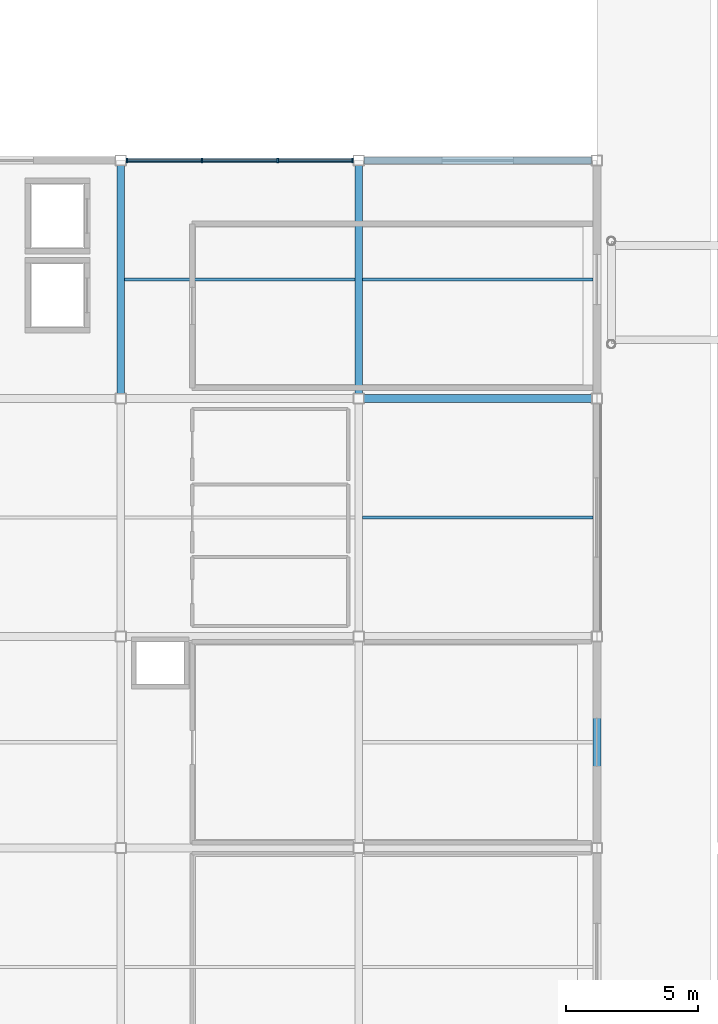
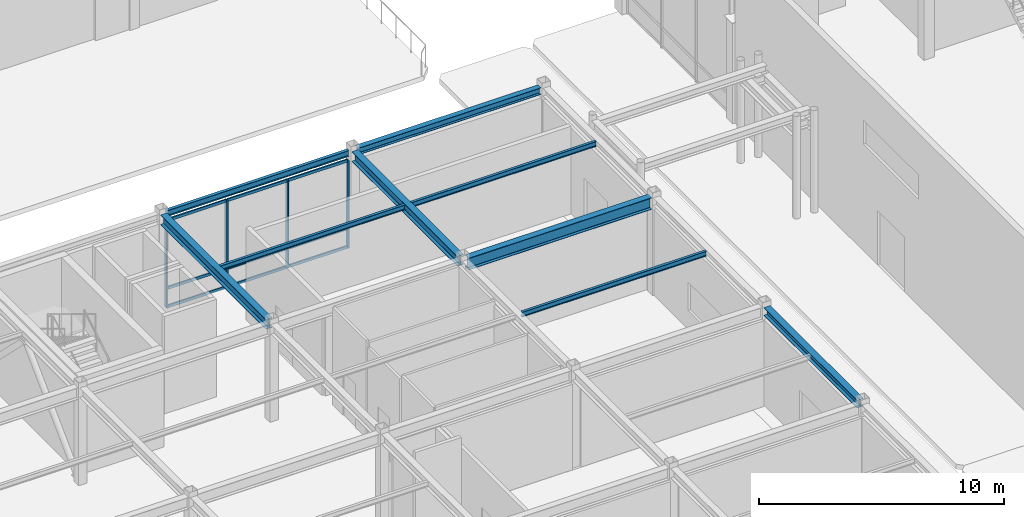
# One storey, part 33 of 123: 13 members, 9 beams, 1 element without a shape of its own.
"""IFC4 building model written with IfcOpenShell, lengths in metres."""

from ifc_helpers import new_model, si_unit, direction, frame, origin, origin_2d, place, context, subcontext, project, spatial, rectangle, i_section, extrude, material, material_profile, profile_set, type_object, element, aggregate, save


model = new_model("IFC4")

# Units and contexts
model_context = context("Model", 3, precision=1e-05, world=origin(), true_north=direction((0.0, 1.0)))
body_context = subcontext(model_context, "Body", "Model", "MODEL_VIEW")
ifc_project = project(units=[si_unit("LENGTHUNIT", "METRE"), si_unit("AREAUNIT", "SQUARE_METRE"), si_unit("VOLUMEUNIT", "CUBIC_METRE"), si_unit("PLANEANGLEUNIT", "RADIAN"), si_unit("MASSUNIT", "GRAM", prefix="KILO")], contexts=[model_context])

# Site, building, storey
site_placement = place(None, origin())
site = spatial("IfcSite", under=ifc_project, at=site_placement, CompositionType="ELEMENT")
building_placement = place(site_placement, origin())
building = spatial("IfcBuilding", under=site, at=building_placement, Name="Suzunagisa Mobility Hub", CompositionType="ELEMENT")
storey_placement = place(building_placement, origin())
storey = spatial("IfcBuildingStorey", under=building, at=storey_placement, Name="L00", CompositionType="ELEMENT", Elevation=0.0)

# Curtain wall, members
ifc_material_1 = material(Name="Thermally Broken Anodized Aluminum and Low-E Glazing", Category="aluminium")
curtain_wall_type = type_object("IfcCurtainWallType", Name="Unitised Curtain Wall CW-47 8500x4400", PredefinedType="USERDEFINED", material=ifc_material_1)
curtain_wall_placement = place(storey_placement, origin())
curtain_wall = element("IfcCurtainWall", 1, at=curtain_wall_placement, inside=storey, type_object=curtain_wall_type, Name="L00 Unitised Curtain Wall CW-5", ObjectType="UNITISED CURTAIN WALL", PredefinedType="USERDEFINED")
ifc_material_2 = material(Name="Anodized Aluminum 6063-T6", Category="aluminium")
ifc_material_profile_1 = material_profile(ifc_material_2, rectangle(XDim=0.06494140625, YDim=0.139892578125, at=origin_2d()), Name="TRAN-65x140")
ifc_profile_set_1 = profile_set([ifc_material_profile_1], Name="Anodized Aluminum 6063-T6")
member_type_1 = type_object("IfcMemberType", Name="Curtain Wall Framing CM-01 TRAN-65x140", PredefinedType="USERDEFINED", material=ifc_profile_set_1)
member_1_placement = place(storey_placement, frame((26.737060546875, 62.0, 0.032470703125), z_axis=(-1.0, 0.0, 0.0), x_axis=(0.0, -1.0, 0.0)))
member_1 = element("IfcMember", 2, at=member_1_placement, type_object=member_type_1, Name="Curtain Wall Transom 5-T1.1", ObjectType="TRANSOM", PredefinedType="USERDEFINED", context=body_context, shape_type="SweptSolid", body=[
    extrude(rectangle(XDim=0.06494140625, YDim=0.139892578125, at=origin_2d()), origin(), (0.0, 0.0, 1.0), 2.773193359375),
])
member_2_placement = place(storey_placement, frame((26.737060546875, 62.0, 0.949951171875), z_axis=(-1.0, 0.0, 0.0), x_axis=(0.0, -1.0, 0.0)))
member_2 = element("IfcMember", 3, at=member_2_placement, type_object=member_type_1, Name="Curtain Wall Transom 5-T1.2", ObjectType="TRANSOM", PredefinedType="USERDEFINED", context=body_context, shape_type="SweptSolid", body=[
    extrude(rectangle(XDim=0.06494140625, YDim=0.139892578125, at=origin_2d()), origin(), (0.0, 0.0, 1.0), 2.773193359375),
])
member_3_placement = place(storey_placement, frame((26.737060546875, 62.0, 4.32958984375), z_axis=(-1.0, 0.0, 0.0), x_axis=(0.0, -1.0, 0.0)))
member_3 = element("IfcMember", 4, at=member_3_placement, type_object=member_type_1, Name="Curtain Wall Transom 5-T1.3", ObjectType="TRANSOM", PredefinedType="USERDEFINED", context=body_context, shape_type="SweptSolid", body=[
    extrude(rectangle(XDim=0.06494140625, YDim=0.139892578125, at=origin_2d()), origin(), (0.0, 0.0, 1.0), 2.773193359375),
])
member_4_placement = place(storey_placement, frame((23.90283203125, 62.0, 0.032470703125), z_axis=(-1.0, 0.0, 0.0), x_axis=(0.0, -1.0, 0.0)))
member_4 = element("IfcMember", 5, at=member_4_placement, type_object=member_type_1, Name="Curtain Wall Transom 5-T2.1", ObjectType="TRANSOM", PredefinedType="USERDEFINED", context=body_context, shape_type="SweptSolid", body=[
    extrude(rectangle(XDim=0.06494140625, YDim=0.139892578125, at=origin_2d()), origin(), (0.0, 0.0, 1.0), 2.8056640625),
])
member_5_placement = place(storey_placement, frame((23.90283203125, 62.0, 0.949951171875), z_axis=(-1.0, 0.0, 0.0), x_axis=(0.0, -1.0, 0.0)))
member_5 = element("IfcMember", 6, at=member_5_placement, type_object=member_type_1, Name="Curtain Wall Transom 5-T2.2", ObjectType="TRANSOM", PredefinedType="USERDEFINED", context=body_context, shape_type="SweptSolid", body=[
    extrude(rectangle(XDim=0.06494140625, YDim=0.139892578125, at=origin_2d()), origin(), (0.0, 0.0, 1.0), 2.8056640625),
])
member_6_placement = place(storey_placement, frame((23.90283203125, 62.0, 4.32958984375), z_axis=(-1.0, 0.0, 0.0), x_axis=(0.0, -1.0, 0.0)))
member_6 = element("IfcMember", 7, at=member_6_placement, type_object=member_type_1, Name="Curtain Wall Transom 5-T2.3", ObjectType="TRANSOM", PredefinedType="USERDEFINED", context=body_context, shape_type="SweptSolid", body=[
    extrude(rectangle(XDim=0.06494140625, YDim=0.139892578125, at=origin_2d()), origin(), (0.0, 0.0, 1.0), 2.8056640625),
])
member_7_placement = place(storey_placement, frame((21.0361328125, 62.0, 0.032470703125), z_axis=(-1.0, 0.0, 0.0), x_axis=(0.0, -1.0, 0.0)))
member_7 = element("IfcMember", 8, at=member_7_placement, type_object=member_type_1, Name="Curtain Wall Transom 5-T3.1", ObjectType="TRANSOM", PredefinedType="USERDEFINED", context=body_context, shape_type="SweptSolid", body=[
    extrude(rectangle(XDim=0.06494140625, YDim=0.139892578125, at=origin_2d()), origin(), (0.0, 0.0, 1.0), 2.773193359375),
])
member_8_placement = place(storey_placement, frame((21.0361328125, 62.0, 0.949951171875), z_axis=(-1.0, 0.0, 0.0), x_axis=(0.0, -1.0, 0.0)))
member_8 = element("IfcMember", 9, at=member_8_placement, type_object=member_type_1, Name="Curtain Wall Transom 5-T3.2", ObjectType="TRANSOM", PredefinedType="USERDEFINED", context=body_context, shape_type="SweptSolid", body=[
    extrude(rectangle(XDim=0.06494140625, YDim=0.139892578125, at=origin_2d()), origin(), (0.0, 0.0, 1.0), 2.773193359375),
])
member_9_placement = place(storey_placement, frame((21.0361328125, 62.0, 4.32958984375), z_axis=(-1.0, 0.0, 0.0), x_axis=(0.0, -1.0, 0.0)))
member_9 = element("IfcMember", 10, at=member_9_placement, type_object=member_type_1, Name="Curtain Wall Transom 5-T3.3", ObjectType="TRANSOM", PredefinedType="USERDEFINED", context=body_context, shape_type="SweptSolid", body=[
    extrude(rectangle(XDim=0.06494140625, YDim=0.139892578125, at=origin_2d()), origin(), (0.0, 0.0, 1.0), 2.773193359375),
])
ifc_material_profile_2 = material_profile(ifc_material_2, rectangle(XDim=0.06494140625, YDim=0.179931640625, at=origin_2d()), Name="MULL-65x180")
ifc_profile_set_2 = profile_set([ifc_material_profile_2], Name="Anodized Aluminum 6063-T6")
member_type_2 = type_object("IfcMemberType", Name="Curtain Wall Framing CM-04 MULL-65x180", PredefinedType="MULLION", material=ifc_profile_set_2)
member_10_placement = place(storey_placement, frame((26.767578125, 62.0, 0.0), z_axis=(0.0, 0.0, 1.0), x_axis=(-1.0, 0.0, 0.0)))
member_10 = element("IfcMember", 11, at=member_10_placement, type_object=member_type_2, Name="Curtain Wall Mullion 5-M1", PredefinedType="MULLION", context=body_context, shape_type="SweptSolid", body=[
    extrude(rectangle(XDim=0.06494140625, YDim=0.179931640625, at=origin_2d()), origin(), (0.0, 0.0, 1.0), 4.362060546875),
])
member_11_placement = place(storey_placement, frame((23.933349609375, 62.0, 0.0), z_axis=(0.0, 0.0, 1.0), x_axis=(-1.0, 0.0, 0.0)))
member_11 = element("IfcMember", 12, at=member_11_placement, type_object=member_type_2, Name="Curtain Wall Mullion 5-M2", PredefinedType="MULLION", context=body_context, shape_type="SweptSolid", body=[
    extrude(rectangle(XDim=0.06494140625, YDim=0.179931640625, at=origin_2d()), origin(), (0.0, 0.0, 1.0), 4.362060546875),
])
member_12_placement = place(storey_placement, frame((21.066650390625, 62.0, 0.0), z_axis=(0.0, 0.0, 1.0), x_axis=(-1.0, 0.0, 0.0)))
member_12 = element("IfcMember", 13, at=member_12_placement, type_object=member_type_2, Name="Curtain Wall Mullion 5-M3", PredefinedType="MULLION", context=body_context, shape_type="SweptSolid", body=[
    extrude(rectangle(XDim=0.06494140625, YDim=0.179931640625, at=origin_2d()), origin(), (0.0, 0.0, 1.0), 4.362060546875),
])
member_13_placement = place(storey_placement, frame((18.232421875, 62.0, 0.0), z_axis=(0.0, 0.0, 1.0), x_axis=(-1.0, 0.0, 0.0)))
member_13 = element("IfcMember", 14, at=member_13_placement, type_object=member_type_2, Name="Curtain Wall Mullion 5-M4", PredefinedType="MULLION", context=body_context, shape_type="SweptSolid", body=[
    extrude(rectangle(XDim=0.06494140625, YDim=0.179931640625, at=origin_2d()), origin(), (0.0, 0.0, 1.0), 4.362060546875),
])
aggregate(curtain_wall, [member_10, member_11, member_12, member_13, member_1, member_2, member_3, member_4, member_5, member_6, member_7, member_8, member_9])

# Beams
ifc_material_3 = material(Name="Steel SN490B", Category="steel")
ifc_material_profile_3 = material_profile(ifc_material_3, i_section(OverallWidth=0.300048828125, OverallDepth=0.488037109375, WebThickness=0.010986328125, FlangeThickness=0.01806640625, FilletRadius=0.012939453125, at=origin_2d()), Name="H-488x300x11x18")
ifc_profile_set_3 = profile_set([ifc_material_profile_3], Name="Steel SN490B")
beam_type_1 = type_object("IfcBeamType", Name="Steel Beam BM-06 H-488x300x11x18", PredefinedType="BEAM", material=ifc_profile_set_3)
for number, where, z_axis, x_axis, name in (
    (15, (18.0, 53.196044921875, 4.60595703125), (0.0, 1.0, 0.0), (-1.0, 0.0, 0.0), "L00 Primary Girder GY-141"),
    (16, (27.0, 53.196044921875, 4.60595703125), (0.0, 1.0, 0.0), (-1.0, 0.0, 0.0), "L00 Primary Girder GY-148"),
):
    element("IfcBeam", number, at=place(storey_placement, frame(where, z_axis=z_axis, x_axis=x_axis)), inside=storey, type_object=beam_type_1, Name=name, PredefinedType="BEAM", context=body_context, shape_type="SweptSolid", body=[
        extrude(i_section(OverallWidth=0.300048828125, OverallDepth=0.488037109375, WebThickness=0.010986328125, FlangeThickness=0.01806640625, FilletRadius=0.012939453125, at=origin_2d()), origin(), (0.0, 0.0, 1.0), 8.60791015625),
    ])
ifc_material_4 = material(Name="Steel SN400B", Category="steel")
ifc_material_profile_4 = material_profile(ifc_material_4, i_section(OverallWidth=0.14990234375, OverallDepth=0.300048828125, WebThickness=0.006591796875, FlangeThickness=0.009033203125, FilletRadius=0.008056640625, at=origin_2d()), Name="H-300x150x6.5x9")
ifc_profile_set_4 = profile_set([ifc_material_profile_4], Name="Steel SN400B")
beam_type_2 = type_object("IfcBeamType", Name="Steel Beam BM-08 H-300x150x6.5x9", PredefinedType="LINTEL", material=ifc_profile_set_4)
beam_1_placement = place(storey_placement, frame((18.196044921875, 62.0, 4.699951171875), z_axis=(1.0, 0.0, 0.0), x_axis=(0.0, 1.0, 0.0)))
element("IfcBeam", 17, at=beam_1_placement, inside=storey, type_object=beam_type_2, Name="L00 Primary Girder GX-120", PredefinedType="LINTEL", context=body_context, shape_type="SweptSolid", body=[
    extrude(i_section(OverallWidth=0.14990234375, OverallDepth=0.300048828125, WebThickness=0.006591796875, FlangeThickness=0.009033203125, FilletRadius=0.008056640625, at=origin_2d()), origin(), (0.0, 0.0, 1.0), 8.60791015625),
])
ifc_material_profile_5 = material_profile(ifc_material_3, i_section(OverallWidth=0.300048828125, OverallDepth=0.389892578125, WebThickness=0.010009765625, FlangeThickness=0.01611328125, FilletRadius=0.012939453125, at=origin_2d()), Name="H-390x300x10x16")
ifc_profile_set_5 = profile_set([ifc_material_profile_5], Name="Steel SN490B")
beam_type_3 = type_object("IfcBeamType", Name="Steel Beam BM-13 H-390x300x10x16", PredefinedType="SPANDREL", material=ifc_profile_set_5)
beam_2_placement = place(storey_placement, frame((36.0, 36.196044921875, 4.655029296875), z_axis=(0.0, 1.0, 0.0), x_axis=(-1.0, 0.0, 0.0)))
element("IfcBeam", 18, at=beam_2_placement, inside=storey, type_object=beam_type_3, Name="L00 Primary Girder GY-153", PredefinedType="SPANDREL", context=body_context, shape_type="SweptSolid", body=[
    extrude(i_section(OverallWidth=0.300048828125, OverallDepth=0.389892578125, WebThickness=0.010009765625, FlangeThickness=0.01611328125, FilletRadius=0.012939453125, at=origin_2d()), origin(), (0.0, 0.0, 1.0), 7.60791015625),
])
ifc_material_profile_6 = material_profile(ifc_material_3, i_section(OverallWidth=0.300048828125, OverallDepth=0.587890625, WebThickness=0.011962890625, FlangeThickness=0.02001953125, FilletRadius=0.012939453125, at=origin_2d()), Name="H-588x300x12x20")
ifc_profile_set_6 = profile_set([ifc_material_profile_6], Name="Steel SN490B")
beam_type_4 = type_object("IfcBeamType", Name="Steel Beam BM-16 H-588x300x12x20", PredefinedType="BEAM", material=ifc_profile_set_6)
beam_3_placement = place(storey_placement, frame((27.196044921875, 53.0, 4.555908203125), z_axis=(1.0, 0.0, 0.0), x_axis=(0.0, 1.0, 0.0)))
element("IfcBeam", 19, at=beam_3_placement, inside=storey, type_object=beam_type_4, Name="L00 Primary Girder GX-117", PredefinedType="BEAM", context=body_context, shape_type="SweptSolid", body=[
    extrude(i_section(OverallWidth=0.300048828125, OverallDepth=0.587890625, WebThickness=0.011962890625, FlangeThickness=0.02001953125, FilletRadius=0.012939453125, at=origin_2d()), origin(), (0.0, 0.0, 1.0), 8.60791015625),
])
ifc_material_profile_7 = material_profile(ifc_material_4, i_section(OverallWidth=0.125, OverallDepth=0.25, WebThickness=0.006103515625, FlangeThickness=0.009033203125, FilletRadius=0.008056640625, at=origin_2d()), Name="H-250x125x6x9")
ifc_profile_set_7 = profile_set([ifc_material_profile_7], Name="Steel SN400B")
beam_type_5 = type_object("IfcBeamType", Name="Steel Beam BM-21 H-250x125x6x9", PredefinedType="JOIST", material=ifc_profile_set_7)
for number, where, z_axis, x_axis, name in (
    (20, (18.14990234375, 57.5, 4.72509765625), (1.0, 0.0, 0.0), (0.0, 1.0, 0.0), "L00 Composite Floor Joist J-173"),
    (21, (27.14990234375, 48.5, 4.72509765625), (1.0, 0.0, 0.0), (0.0, 1.0, 0.0), "L00 Composite Floor Joist J-179"),
    (22, (27.14990234375, 57.5, 4.72509765625), (1.0, 0.0, 0.0), (0.0, 1.0, 0.0), "L00 Composite Floor Joist J-180"),
):
    element("IfcBeam", number, at=place(storey_placement, frame(where, z_axis=z_axis, x_axis=x_axis)), inside=storey, type_object=beam_type_5, Name=name, PredefinedType="JOIST", context=body_context, shape_type="SweptSolid", body=[
        extrude(i_section(OverallWidth=0.125, OverallDepth=0.25, WebThickness=0.006103515625, FlangeThickness=0.009033203125, FilletRadius=0.008056640625, at=origin_2d()), origin(), (0.0, 0.0, 1.0), 8.7001953125),
    ])
ifc_material_profile_8 = material_profile(ifc_material_4, i_section(OverallWidth=0.25, OverallDepth=0.340087890625, WebThickness=0.009033203125, FlangeThickness=0.013916015625, FilletRadius=0.010009765625, at=origin_2d()), Name="H-340x250x9x14")
ifc_profile_set_8 = profile_set([ifc_material_profile_8], Name="Steel SN400B")
beam_type_6 = type_object("IfcBeamType", Name="Steel Beam BM-23 H-340x250x9x14", PredefinedType="LINTEL", material=ifc_profile_set_8)
beam_4_placement = place(storey_placement, frame((27.196044921875, 62.0, 4.679931640625), z_axis=(1.0, 0.0, 0.0), x_axis=(0.0, 1.0, 0.0)))
element("IfcBeam", 23, at=beam_4_placement, inside=storey, type_object=beam_type_6, Name="L00 Primary Girder GX-121", PredefinedType="LINTEL", context=body_context, shape_type="SweptSolid", body=[
    extrude(i_section(OverallWidth=0.25, OverallDepth=0.340087890625, WebThickness=0.009033203125, FlangeThickness=0.013916015625, FilletRadius=0.010009765625, at=origin_2d()), origin(), (0.0, 0.0, 1.0), 8.60791015625),
])

save(model, "model.ifc")
